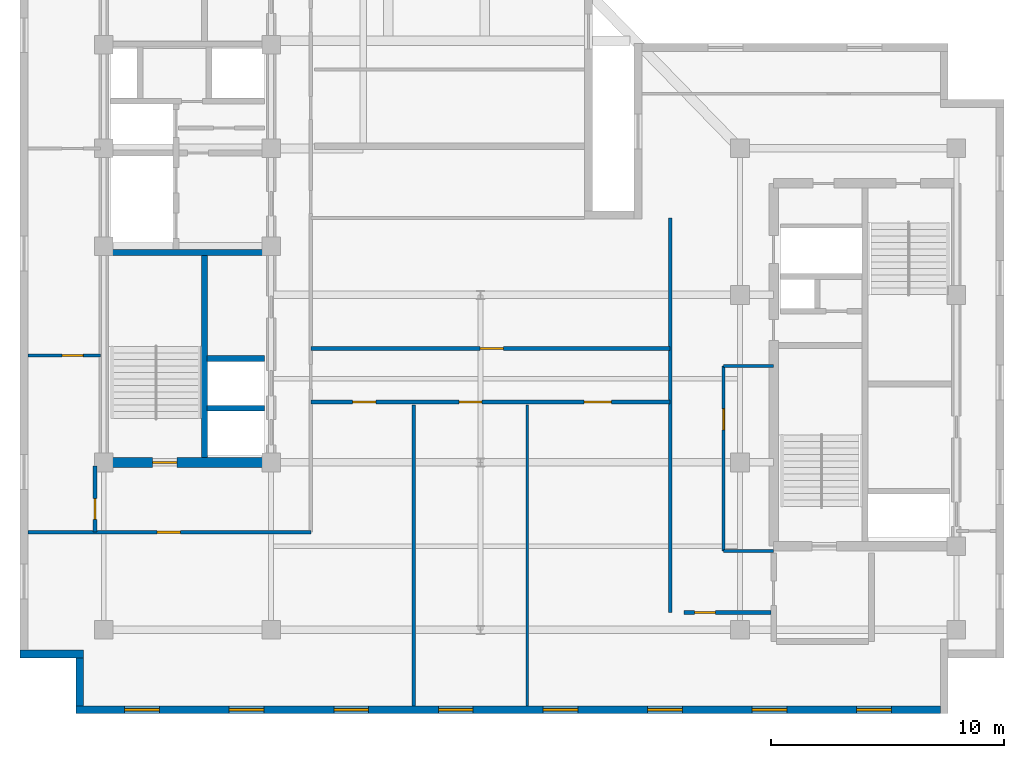
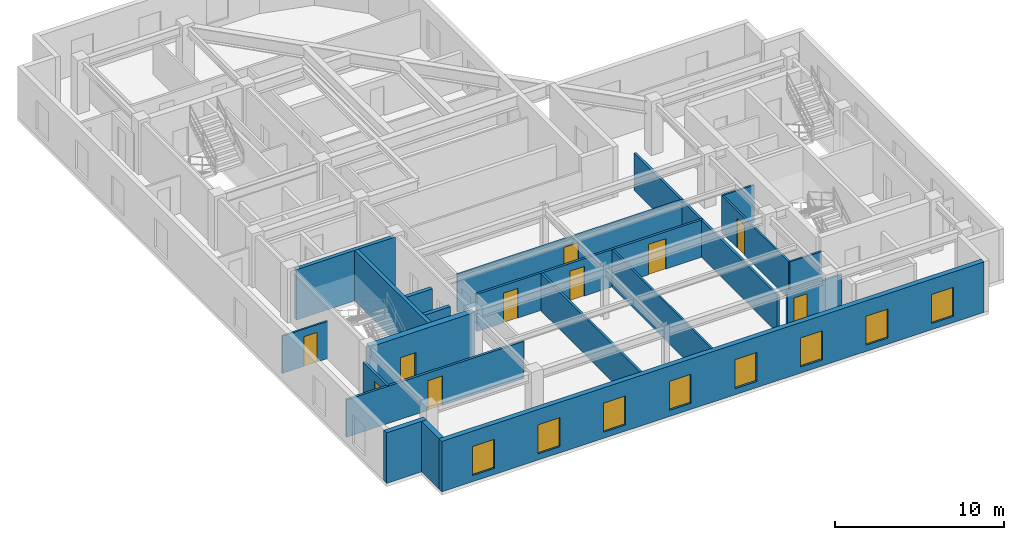
# One storey, part 3 of 10: 20 walls, 10 doors, 8 windows, 18 openings.
"""IFC4 building model written with IfcOpenShell, lengths in metres."""

from ifc_helpers import new_model, entity, si_unit, converted_unit, direction, frame, origin_with_axes, origin_2d_with_axis, place, context, subcontext, project, spatial, polyline, rectangle, outline, extrude, material, layer, layer_set, type_object, element, fill, save


model = new_model("IFC4")

# Units and contexts
model_context = context("Model", 3, precision=1e-05, world=origin_with_axes(), true_north=direction((0.0, 1.0)))
body_context = subcontext(model_context, "Body", "Model", "MODEL_VIEW")
ifc_project = project(units=[si_unit("LENGTHUNIT", "METRE"), si_unit("AREAUNIT", "SQUARE_METRE"), si_unit("VOLUMEUNIT", "CUBIC_METRE"), converted_unit("PLANEANGLEUNIT", "DEGREE", entity("IfcPlaneAngleMeasure", 0.017453292519943295), si_unit("PLANEANGLEUNIT", "RADIAN"), dimensions=[0, 0, 0, 0, 0, 0, 0]), si_unit("MASSUNIT", "GRAM", prefix="KILO"), si_unit("THERMODYNAMICTEMPERATUREUNIT", "KELVIN")], contexts=[model_context])

# Site, building, storey
site_placement = place(None, origin_with_axes())
site = spatial("IfcSite", under=ifc_project, at=site_placement, CompositionType="ELEMENT")
building_placement = place(site_placement, origin_with_axes())
building = spatial("IfcBuilding", under=site, at=building_placement, Name="Varnlund Millrace Tower", CompositionType="ELEMENT")
storey_placement = place(building_placement, frame((0.0, 0.0, 280.2), z_axis=(0.0, 0.0, 1.0), x_axis=(1.0, 0.0, 0.0)))
storey = spatial("IfcBuildingStorey", under=building, at=storey_placement, Name="L69", CompositionType="ELEMENT", Elevation=280.2)

# Wall, opening, door
ifc_material_1 = material(Name="Concrete C60/75", Category="concrete")
ifc_layer_1 = layer(ifc_material_1, 0.42, Name="Concrete C60/75")
ifc_layer_set_1 = layer_set([ifc_layer_1], Name="Concrete C60/75")
wall_type_1 = type_object("IfcWallType", Name="Type-CoreWall-Shear-420-C60", PredefinedType="SHEAR", material=ifc_layer_set_1)
wall_1_placement = place(storey_placement, frame((11.4, 10.8, 0.0), z_axis=(0.0, 0.0, 1.0), x_axis=(1.0, 0.0, 0.0)))
wall_1 = element("IfcWall", 1, at=wall_1_placement, inside=storey, type_object=wall_type_1, Name="Type-CoreWall-Shear-420-C60", PredefinedType="SHEAR", context=body_context, shape_type="SweptSolid", body=[
    extrude(outline(polyline([(0.0, -0.21), (7.2, -0.21), (7.2, 0.21), (0.0, 0.21), (0.0, -0.21)])), origin_with_axes(), (0.0, 0.0, 1.0), 3.66),
])
opening_1_placement = place(wall_1_placement, frame((2.625, 0.0, 0.0), z_axis=(0.0, 0.0, 1.0), x_axis=(1.0, 0.0, 0.0)))
opening_1 = element("IfcOpeningElement", 2, at=opening_1_placement, cuts=wall_1, Name="Opening L69:DR-STA1", PredefinedType="OPENING", context=body_context, shape_type="SweptSolid", body=[
    extrude(rectangle(XDim=1.05, YDim=0.44, at=origin_2d_with_axis()), origin_with_axes(), (0.0, 0.0, 1.0), 2.15),
])
ifc_material_2 = material(Name="Fire-rated hollow steel door", Category="steel")
door_type_1 = type_object("IfcDoorType", Name="Type-FireDoor-Stair-1050X2150", OperationType="NOTDEFINED", PredefinedType="DOOR", material=ifc_material_2)
door_1_placement = place(wall_1_placement, frame((2.625, 0.0, 0.0), z_axis=(0.0, 0.0, 1.0), x_axis=(1.0, 0.0, 0.0)))
door_1 = element("IfcDoor", 3, at=door_1_placement, inside=storey, type_object=door_type_1, Name="Type-FireDoor-Stair-1050X2150", OperationType="SINGLE_SWING_LEFT", OverallHeight=2.15, OverallWidth=1.05, PredefinedType="DOOR", context=body_context, shape_type="SweptSolid", body=[
    extrude(rectangle(XDim=1.05, YDim=0.09, at=origin_2d_with_axis()), origin_with_axes(), (0.0, 0.0, 1.0), 2.15),
])
fill(opening_1, door_1)

# Wall, openings, windows
ifc_material_3 = material(Name="Precast concrete C50/60", Category="concrete")
ifc_layer_2 = layer(ifc_material_3, 0.34, Name="Precast concrete C50/60")
ifc_layer_set_2 = layer_set([ifc_layer_2], Name="Precast concrete C50/60")
wall_type_2 = type_object("IfcWallType", Name="Type-ExtWall-Precast-Upper-340", PredefinedType="SOLIDWALL", material=ifc_layer_set_2)
wall_2_placement = place(storey_placement, frame((47.36, 0.17, 0.0), z_axis=(0.0, 0.0, 1.0), x_axis=(-1.0, 0.0, 0.0)))
wall_2 = element("IfcWall", 4, at=wall_2_placement, inside=storey, type_object=wall_type_2, Name="Type-ExtWall-Precast-Upper-340", PredefinedType="SOLIDWALL", context=body_context, shape_type="SweptSolid", body=[
    extrude(outline(polyline([(0.0, -0.17), (37.16, -0.17), (37.16, 0.17), (0.0, 0.17), (0.0, -0.17)])), origin_with_axes(), (0.0, 0.0, 1.0), 3.66),
])
opening_2_placement = place(wall_2_placement, frame((2.847, 0.0, 0.45), z_axis=(0.0, 0.0, 1.0), x_axis=(1.0, 0.0, 0.0)))
opening_2 = element("IfcOpeningElement", 5, at=opening_2_placement, cuts=wall_2, Name="Opening L69:WN-09", PredefinedType="OPENING", context=body_context, shape_type="SweptSolid", body=[
    extrude(rectangle(XDim=1.5, YDim=0.36, at=origin_2d_with_axis()), origin_with_axes(), (0.0, 0.0, 1.0), 2.1),
])
opening_3_placement = place(wall_2_placement, frame((7.342, 0.0, 0.45), z_axis=(0.0, 0.0, 1.0), x_axis=(1.0, 0.0, 0.0)))
opening_3 = element("IfcOpeningElement", 6, at=opening_3_placement, cuts=wall_2, Name="Opening L69:WN-10", PredefinedType="OPENING", context=body_context, shape_type="SweptSolid", body=[
    extrude(rectangle(XDim=1.5, YDim=0.36, at=origin_2d_with_axis()), origin_with_axes(), (0.0, 0.0, 1.0), 2.1),
])
opening_4_placement = place(wall_2_placement, frame((11.837, 0.0, 0.45), z_axis=(0.0, 0.0, 1.0), x_axis=(1.0, 0.0, 0.0)))
opening_4 = element("IfcOpeningElement", 7, at=opening_4_placement, cuts=wall_2, Name="Opening L69:WN-11", PredefinedType="OPENING", context=body_context, shape_type="SweptSolid", body=[
    extrude(rectangle(XDim=1.5, YDim=0.36, at=origin_2d_with_axis()), origin_with_axes(), (0.0, 0.0, 1.0), 2.1),
])
opening_5_placement = place(wall_2_placement, frame((16.332, 0.0, 0.45), z_axis=(0.0, 0.0, 1.0), x_axis=(1.0, 0.0, 0.0)))
opening_5 = element("IfcOpeningElement", 8, at=opening_5_placement, cuts=wall_2, Name="Opening L69:WN-12", PredefinedType="OPENING", context=body_context, shape_type="SweptSolid", body=[
    extrude(rectangle(XDim=1.5, YDim=0.36, at=origin_2d_with_axis()), origin_with_axes(), (0.0, 0.0, 1.0), 2.1),
])
opening_6_placement = place(wall_2_placement, frame((20.827, 0.0, 0.45), z_axis=(0.0, 0.0, 1.0), x_axis=(1.0, 0.0, 0.0)))
opening_6 = element("IfcOpeningElement", 9, at=opening_6_placement, cuts=wall_2, Name="Opening L69:WN-13", PredefinedType="OPENING", context=body_context, shape_type="SweptSolid", body=[
    extrude(rectangle(XDim=1.5, YDim=0.36, at=origin_2d_with_axis()), origin_with_axes(), (0.0, 0.0, 1.0), 2.1),
])
opening_7_placement = place(wall_2_placement, frame((25.322, 0.0, 0.45), z_axis=(0.0, 0.0, 1.0), x_axis=(1.0, 0.0, 0.0)))
opening_7 = element("IfcOpeningElement", 10, at=opening_7_placement, cuts=wall_2, Name="Opening L69:WN-14", PredefinedType="OPENING", context=body_context, shape_type="SweptSolid", body=[
    extrude(rectangle(XDim=1.5, YDim=0.36, at=origin_2d_with_axis()), origin_with_axes(), (0.0, 0.0, 1.0), 2.1),
])
opening_8_placement = place(wall_2_placement, frame((29.817, 0.0, 0.45), z_axis=(0.0, 0.0, 1.0), x_axis=(1.0, 0.0, 0.0)))
opening_8 = element("IfcOpeningElement", 11, at=opening_8_placement, cuts=wall_2, Name="Opening L69:WN-15", PredefinedType="OPENING", context=body_context, shape_type="SweptSolid", body=[
    extrude(rectangle(XDim=1.5, YDim=0.36, at=origin_2d_with_axis()), origin_with_axes(), (0.0, 0.0, 1.0), 2.1),
])
opening_9_placement = place(wall_2_placement, frame((34.312, 0.0, 0.45), z_axis=(0.0, 0.0, 1.0), x_axis=(1.0, 0.0, 0.0)))
opening_9 = element("IfcOpeningElement", 12, at=opening_9_placement, cuts=wall_2, Name="Opening L69:WN-16", PredefinedType="OPENING", context=body_context, shape_type="SweptSolid", body=[
    extrude(rectangle(XDim=1.5, YDim=0.36, at=origin_2d_with_axis()), origin_with_axes(), (0.0, 0.0, 1.0), 2.1),
])
ifc_material_4 = material(Name="Argon low-e triple glazing in thermally broken bronze frame", Category="glass")
window_type = type_object("IfcWindowType", Name="Type-Window-Punched-1500X2100", PartitioningType="SINGLE_PANEL", PredefinedType="WINDOW", material=ifc_material_4)
window_1_placement = place(wall_2_placement, frame((2.847, 0.0, 0.45), z_axis=(0.0, 0.0, 1.0), x_axis=(1.0, 0.0, 0.0)))
window_1 = element("IfcWindow", 13, at=window_1_placement, inside=storey, type_object=window_type, Name="Type-Window-Punched-1500X2100", OverallHeight=2.1, OverallWidth=1.5, PredefinedType="WINDOW", context=body_context, shape_type="SweptSolid", body=[
    extrude(rectangle(XDim=1.5, YDim=0.09, at=origin_2d_with_axis()), origin_with_axes(), (0.0, 0.0, 1.0), 2.1),
])
fill(opening_2, window_1)
window_2_placement = place(wall_2_placement, frame((7.342, 0.0, 0.45), z_axis=(0.0, 0.0, 1.0), x_axis=(1.0, 0.0, 0.0)))
window_2 = element("IfcWindow", 14, at=window_2_placement, inside=storey, type_object=window_type, Name="Type-Window-Punched-1500X2100", OverallHeight=2.1, OverallWidth=1.5, PredefinedType="WINDOW", context=body_context, shape_type="SweptSolid", body=[
    extrude(rectangle(XDim=1.5, YDim=0.09, at=origin_2d_with_axis()), origin_with_axes(), (0.0, 0.0, 1.0), 2.1),
])
fill(opening_3, window_2)
window_3_placement = place(wall_2_placement, frame((11.837, 0.0, 0.45), z_axis=(0.0, 0.0, 1.0), x_axis=(1.0, 0.0, 0.0)))
window_3 = element("IfcWindow", 15, at=window_3_placement, inside=storey, type_object=window_type, Name="Type-Window-Punched-1500X2100", OverallHeight=2.1, OverallWidth=1.5, PredefinedType="WINDOW", context=body_context, shape_type="SweptSolid", body=[
    extrude(rectangle(XDim=1.5, YDim=0.09, at=origin_2d_with_axis()), origin_with_axes(), (0.0, 0.0, 1.0), 2.1),
])
fill(opening_4, window_3)
window_4_placement = place(wall_2_placement, frame((16.332, 0.0, 0.45), z_axis=(0.0, 0.0, 1.0), x_axis=(1.0, 0.0, 0.0)))
window_4 = element("IfcWindow", 16, at=window_4_placement, inside=storey, type_object=window_type, Name="Type-Window-Punched-1500X2100", OverallHeight=2.1, OverallWidth=1.5, PredefinedType="WINDOW", context=body_context, shape_type="SweptSolid", body=[
    extrude(rectangle(XDim=1.5, YDim=0.09, at=origin_2d_with_axis()), origin_with_axes(), (0.0, 0.0, 1.0), 2.1),
])
fill(opening_5, window_4)
window_5_placement = place(wall_2_placement, frame((20.827, 0.0, 0.45), z_axis=(0.0, 0.0, 1.0), x_axis=(1.0, 0.0, 0.0)))
window_5 = element("IfcWindow", 17, at=window_5_placement, inside=storey, type_object=window_type, Name="Type-Window-Punched-1500X2100", OverallHeight=2.1, OverallWidth=1.5, PredefinedType="WINDOW", context=body_context, shape_type="SweptSolid", body=[
    extrude(rectangle(XDim=1.5, YDim=0.09, at=origin_2d_with_axis()), origin_with_axes(), (0.0, 0.0, 1.0), 2.1),
])
fill(opening_6, window_5)
window_6_placement = place(wall_2_placement, frame((25.322, 0.0, 0.45), z_axis=(0.0, 0.0, 1.0), x_axis=(1.0, 0.0, 0.0)))
window_6 = element("IfcWindow", 18, at=window_6_placement, inside=storey, type_object=window_type, Name="Type-Window-Punched-1500X2100", OverallHeight=2.1, OverallWidth=1.5, PredefinedType="WINDOW", context=body_context, shape_type="SweptSolid", body=[
    extrude(rectangle(XDim=1.5, YDim=0.09, at=origin_2d_with_axis()), origin_with_axes(), (0.0, 0.0, 1.0), 2.1),
])
fill(opening_7, window_6)
window_7_placement = place(wall_2_placement, frame((29.817, 0.0, 0.45), z_axis=(0.0, 0.0, 1.0), x_axis=(1.0, 0.0, 0.0)))
window_7 = element("IfcWindow", 19, at=window_7_placement, inside=storey, type_object=window_type, Name="Type-Window-Punched-1500X2100", OverallHeight=2.1, OverallWidth=1.5, PredefinedType="WINDOW", context=body_context, shape_type="SweptSolid", body=[
    extrude(rectangle(XDim=1.5, YDim=0.09, at=origin_2d_with_axis()), origin_with_axes(), (0.0, 0.0, 1.0), 2.1),
])
fill(opening_8, window_7)
window_8_placement = place(wall_2_placement, frame((34.312, 0.0, 0.45), z_axis=(0.0, 0.0, 1.0), x_axis=(1.0, 0.0, 0.0)))
window_8 = element("IfcWindow", 20, at=window_8_placement, inside=storey, type_object=window_type, Name="Type-Window-Punched-1500X2100", OverallHeight=2.1, OverallWidth=1.5, PredefinedType="WINDOW", context=body_context, shape_type="SweptSolid", body=[
    extrude(rectangle(XDim=1.5, YDim=0.09, at=origin_2d_with_axis()), origin_with_axes(), (0.0, 0.0, 1.0), 2.1),
])
fill(opening_9, window_8)

# Walls
wall_3_placement = place(storey_placement, frame((10.37, 0.34, 0.0), z_axis=(0.0, 0.0, 1.0), x_axis=(0.0, 1.0, 0.0)))
element("IfcWall", 21, at=wall_3_placement, inside=storey, type_object=wall_type_2, Name="Type-ExtWall-Precast-Upper-340", PredefinedType="SOLIDWALL", context=body_context, shape_type="SweptSolid", body=[
    extrude(outline(polyline([(0.0, -0.17), (2.06, -0.17), (2.06, 0.17), (0.0, 0.17), (0.0, -0.17)])), origin_with_axes(), (0.0, 0.0, 1.0), 3.66),
])
wall_4_placement = place(storey_placement, frame((10.54, 2.57, 0.0), z_axis=(0.0, 0.0, 1.0), x_axis=(-1.0, 0.0, 0.0)))
element("IfcWall", 22, at=wall_4_placement, inside=storey, type_object=wall_type_2, Name="Type-ExtWall-Precast-Upper-340", PredefinedType="SOLIDWALL", context=body_context, shape_type="SweptSolid", body=[
    extrude(outline(polyline([(0.0, -0.17), (2.74, -0.17), (2.74, 0.17), (0.0, 0.17), (0.0, -0.17)])), origin_with_axes(), (0.0, 0.0, 1.0), 3.66),
])

# Wall, opening, door
ifc_material_5 = material(Name="Fire-rated gypsum board on cold-formed steel framing", Category="steel")
ifc_layer_3 = layer(ifc_material_5, 0.16, Name="Fire-rated gypsum board on cold-formed steel framing")
ifc_layer_set_3 = layer_set([ifc_layer_3], Name="Fire-rated gypsum board on cold-formed steel framing")
wall_type_3 = type_object("IfcWallType", Name="Type-Partition-Corridor-160", PredefinedType="PARTITIONING", material=ifc_layer_set_3)
wall_5_placement = place(storey_placement, frame((8.135, 7.8, 0.0), z_axis=(0.0, 0.0, 1.0), x_axis=(1.0, 0.0, 0.0)))
wall_5 = element("IfcWall", 23, at=wall_5_placement, inside=storey, type_object=wall_type_3, Name="Type-Partition-Corridor-160", PredefinedType="PARTITIONING", context=body_context, shape_type="SweptSolid", body=[
    extrude(outline(polyline([(0.0, -0.08), (12.165, -0.08), (12.165, 0.08), (0.0, 0.08), (0.0, -0.08)])), origin_with_axes(), (0.0, 0.0, 1.0), 2.7),
])
opening_10_placement = place(wall_5_placement, frame((6.065, 0.0, 0.0), z_axis=(0.0, 0.0, 1.0), x_axis=(1.0, 0.0, 0.0)))
opening_10 = element("IfcOpeningElement", 24, at=opening_10_placement, cuts=wall_5, Name="Opening L69:DR-WAS-01", PredefinedType="OPENING", context=body_context, shape_type="SweptSolid", body=[
    extrude(rectangle(XDim=1.0, YDim=0.18, at=origin_2d_with_axis()), origin_with_axes(), (0.0, 0.0, 1.0), 2.15),
])
ifc_material_6 = material(Name="Solid-core white oak and bronze frame door")
door_type_2 = type_object("IfcDoorType", Name="Type-IntDoor-Office-1000X2150", OperationType="NOTDEFINED", PredefinedType="DOOR", material=ifc_material_6)
door_2_placement = place(wall_5_placement, frame((6.065, 0.0, 0.0), z_axis=(0.0, 0.0, 1.0), x_axis=(1.0, 0.0, 0.0)))
door_2 = element("IfcDoor", 25, at=door_2_placement, inside=storey, type_object=door_type_2, Name="Type-IntDoor-Office-1000X2150", OperationType="SINGLE_SWING_LEFT", OverallHeight=2.15, OverallWidth=1.0, PredefinedType="DOOR", context=body_context, shape_type="SweptSolid", body=[
    extrude(rectangle(XDim=1.0, YDim=0.09, at=origin_2d_with_axis()), origin_with_axes(), (0.0, 0.0, 1.0), 2.15),
])
fill(opening_10, door_2)

wall_6_placement = place(storey_placement, frame((11.02, 7.8, 0.0), z_axis=(0.0, 0.0, 1.0), x_axis=(0.0, 1.0, 0.0)))
wall_6 = element("IfcWall", 26, at=wall_6_placement, inside=storey, type_object=wall_type_3, Name="Type-Partition-Corridor-160", PredefinedType="PARTITIONING", context=body_context, shape_type="SweptSolid", body=[
    extrude(outline(polyline([(0.0, -0.08), (2.85, -0.08), (2.85, 0.08), (0.0, 0.08), (0.0, -0.08)])), origin_with_axes(), (0.0, 0.0, 1.0), 2.7),
])
opening_11_placement = place(wall_6_placement, frame((1.0, 0.0, 0.0), z_axis=(0.0, 0.0, 1.0), x_axis=(1.0, 0.0, 0.0)))
opening_11 = element("IfcOpeningElement", 27, at=opening_11_placement, cuts=wall_6, Name="Opening L69:DR-WU-S1", PredefinedType="OPENING", context=body_context, shape_type="SweptSolid", body=[
    extrude(rectangle(XDim=0.9, YDim=0.18, at=origin_2d_with_axis()), origin_with_axes(), (0.0, 0.0, 1.0), 2.15),
])
ifc_material_7 = material(Name="Painted steel riser and closet door", Category="steel")
door_type_3 = type_object("IfcDoorType", Name="Type-IntDoor-Closet-900X2150", OperationType="NOTDEFINED", PredefinedType="DOOR", material=ifc_material_7)
door_3_placement = place(wall_6_placement, frame((1.0, 0.0, 0.0), z_axis=(0.0, 0.0, 1.0), x_axis=(1.0, 0.0, 0.0)))
door_3 = element("IfcDoor", 28, at=door_3_placement, inside=storey, type_object=door_type_3, Name="Type-IntDoor-Closet-900X2150", OperationType="SINGLE_SWING_LEFT", OverallHeight=2.15, OverallWidth=0.9, PredefinedType="DOOR", context=body_context, shape_type="SweptSolid", body=[
    extrude(rectangle(XDim=0.9, YDim=0.09, at=origin_2d_with_axis()), origin_with_axes(), (0.0, 0.0, 1.0), 2.15),
])
fill(opening_11, door_3)

# Wall, openings, doors
wall_7_placement = place(storey_placement, frame((20.3, 13.4, 0.0), z_axis=(0.0, 0.0, 1.0), x_axis=(1.0, 0.0, 0.0)))
wall_7 = element("IfcWall", 29, at=wall_7_placement, inside=storey, type_object=wall_type_3, Name="Type-Partition-Corridor-160", PredefinedType="PARTITIONING", context=body_context, shape_type="SweptSolid", body=[
    extrude(outline(polyline([(0.0, -0.08), (15.45, -0.08), (15.45, 0.08), (0.0, 0.08), (0.0, -0.08)])), origin_with_axes(), (0.0, 0.0, 1.0), 2.7),
])
opening_12_placement = place(wall_7_placement, frame((2.304, 0.0, 0.0), z_axis=(0.0, 0.0, 1.0), x_axis=(1.0, 0.0, 0.0)))
opening_12 = element("IfcOpeningElement", 30, at=opening_12_placement, cuts=wall_7, Name="Opening L69:DR-KNS-01", PredefinedType="OPENING", context=body_context, shape_type="SweptSolid", body=[
    extrude(rectangle(XDim=1.0, YDim=0.18, at=origin_2d_with_axis()), origin_with_axes(), (0.0, 0.0, 1.0), 2.15),
])
opening_13_placement = place(wall_7_placement, frame((6.866, 0.0, 0.0), z_axis=(0.0, 0.0, 1.0), x_axis=(1.0, 0.0, 0.0)))
opening_13 = element("IfcOpeningElement", 31, at=opening_13_placement, cuts=wall_7, Name="Opening L69:DR-KNS-02", PredefinedType="OPENING", context=body_context, shape_type="SweptSolid", body=[
    extrude(rectangle(XDim=1.0, YDim=0.18, at=origin_2d_with_axis()), origin_with_axes(), (0.0, 0.0, 1.0), 2.15),
])
opening_14_placement = place(wall_7_placement, frame((12.337, 0.0, 0.0), z_axis=(0.0, 0.0, 1.0), x_axis=(1.0, 0.0, 0.0)))
opening_14 = element("IfcOpeningElement", 32, at=opening_14_placement, cuts=wall_7, Name="Opening L69:DR-KNS-03", PredefinedType="OPENING", context=body_context, shape_type="SweptSolid", body=[
    extrude(rectangle(XDim=1.2, YDim=0.18, at=origin_2d_with_axis()), origin_with_axes(), (0.0, 0.0, 1.0), 2.2),
])
ifc_material_8 = material(Name="Wide executive white oak acoustic door")
door_type_4 = type_object("IfcDoorType", Name="Type-IntDoor-Exec-1200X2200", OperationType="NOTDEFINED", PredefinedType="DOOR", material=ifc_material_8)
door_4_placement = place(wall_7_placement, frame((12.337, 0.0, 0.0), z_axis=(0.0, 0.0, 1.0), x_axis=(1.0, 0.0, 0.0)))
door_4 = element("IfcDoor", 33, at=door_4_placement, inside=storey, type_object=door_type_4, Name="Type-IntDoor-Exec-1200X2200", OperationType="SINGLE_SWING_LEFT", OverallHeight=2.2, OverallWidth=1.2, PredefinedType="DOOR", context=body_context, shape_type="SweptSolid", body=[
    extrude(rectangle(XDim=1.2, YDim=0.09, at=origin_2d_with_axis()), origin_with_axes(), (0.0, 0.0, 1.0), 2.2),
])
fill(opening_14, door_4)
door_5_placement = place(wall_7_placement, frame((2.304, 0.0, 0.0), z_axis=(0.0, 0.0, 1.0), x_axis=(1.0, 0.0, 0.0)))
door_5 = element("IfcDoor", 34, at=door_5_placement, inside=storey, type_object=door_type_2, Name="Type-IntDoor-Office-1000X2150", OperationType="SINGLE_SWING_LEFT", OverallHeight=2.15, OverallWidth=1.0, PredefinedType="DOOR", context=body_context, shape_type="SweptSolid", body=[
    extrude(rectangle(XDim=1.0, YDim=0.09, at=origin_2d_with_axis()), origin_with_axes(), (0.0, 0.0, 1.0), 2.15),
])
fill(opening_12, door_5)
door_6_placement = place(wall_7_placement, frame((6.866, 0.0, 0.0), z_axis=(0.0, 0.0, 1.0), x_axis=(1.0, 0.0, 0.0)))
door_6 = element("IfcDoor", 35, at=door_6_placement, inside=storey, type_object=door_type_2, Name="Type-IntDoor-Office-1000X2150", OperationType="SINGLE_SWING_RIGHT", OverallHeight=2.15, OverallWidth=1.0, PredefinedType="DOOR", context=body_context, shape_type="SweptSolid", body=[
    extrude(rectangle(XDim=1.0, YDim=0.09, at=origin_2d_with_axis()), origin_with_axes(), (0.0, 0.0, 1.0), 2.15),
])
fill(opening_13, door_6)

# Wall, opening, door
wall_8_placement = place(storey_placement, frame((20.3, 15.7, 0.0), z_axis=(0.0, 0.0, 1.0), x_axis=(1.0, 0.0, 0.0)))
wall_8 = element("IfcWall", 36, at=wall_8_placement, inside=storey, type_object=wall_type_3, Name="Type-Partition-Corridor-160", PredefinedType="PARTITIONING", context=body_context, shape_type="SweptSolid", body=[
    extrude(outline(polyline([(0.0, -0.08), (15.45, -0.08), (15.45, 0.08), (0.0, 0.08), (0.0, -0.08)])), origin_with_axes(), (0.0, 0.0, 1.0), 2.7),
])
opening_15_placement = place(wall_8_placement, frame((7.775, 0.0, 0.0), z_axis=(0.0, 0.0, 1.0), x_axis=(1.0, 0.0, 0.0)))
opening_15 = element("IfcOpeningElement", 37, at=opening_15_placement, cuts=wall_8, Name="Opening L69:DR-KN-01", PredefinedType="OPENING", context=body_context, shape_type="SweptSolid", body=[
    extrude(rectangle(XDim=1.0, YDim=0.18, at=origin_2d_with_axis()), origin_with_axes(), (0.0, 0.0, 1.0), 2.15),
])
door_7_placement = place(wall_8_placement, frame((7.775, 0.0, 0.0), z_axis=(0.0, 0.0, 1.0), x_axis=(1.0, 0.0, 0.0)))
door_7 = element("IfcDoor", 38, at=door_7_placement, inside=storey, type_object=door_type_2, Name="Type-IntDoor-Office-1000X2150", OperationType="SINGLE_SWING_LEFT", OverallHeight=2.15, OverallWidth=1.0, PredefinedType="DOOR", context=body_context, shape_type="SweptSolid", body=[
    extrude(rectangle(XDim=1.0, YDim=0.09, at=origin_2d_with_axis()), origin_with_axes(), (0.0, 0.0, 1.0), 2.15),
])
fill(opening_15, door_7)

# Wall
wall_9_placement = place(storey_placement, frame((35.75, 4.35, 0.0), z_axis=(0.0, 0.0, 1.0), x_axis=(0.0, 1.0, 0.0)))
element("IfcWall", 39, at=wall_9_placement, inside=storey, type_object=wall_type_3, Name="Type-Partition-Corridor-160", PredefinedType="PARTITIONING", context=body_context, shape_type="SweptSolid", body=[
    extrude(outline(polyline([(0.0, -0.08), (16.95, -0.08), (16.95, 0.08), (0.0, 0.08), (0.0, -0.08)])), origin_with_axes(), (0.0, 0.0, 1.0), 2.7),
])

# Wall, opening, door
wall_10_placement = place(storey_placement, frame((36.35, 4.35, 0.0), z_axis=(0.0, 0.0, 1.0), x_axis=(1.0, 0.0, 0.0)))
wall_10 = element("IfcWall", 40, at=wall_10_placement, inside=storey, type_object=wall_type_3, Name="Type-Partition-Corridor-160", PredefinedType="PARTITIONING", context=body_context, shape_type="SweptSolid", body=[
    extrude(outline(polyline([(0.0, -0.08), (3.725, -0.08), (3.725, 0.08), (0.0, 0.08), (0.0, -0.08)])), origin_with_axes(), (0.0, 0.0, 1.0), 2.7),
])
opening_16_placement = place(wall_10_placement, frame((0.9, 0.0, 0.0), z_axis=(0.0, 0.0, 1.0), x_axis=(1.0, 0.0, 0.0)))
opening_16 = element("IfcOpeningElement", 41, at=opening_16_placement, cuts=wall_10, Name="Opening L69:DR-Z4-KNS", PredefinedType="OPENING", context=body_context, shape_type="SweptSolid", body=[
    extrude(rectangle(XDim=0.9, YDim=0.18, at=origin_2d_with_axis()), origin_with_axes(), (0.0, 0.0, 1.0), 2.15),
])
door_8_placement = place(wall_10_placement, frame((0.9, 0.0, 0.0), z_axis=(0.0, 0.0, 1.0), x_axis=(1.0, 0.0, 0.0)))
door_8 = element("IfcDoor", 42, at=door_8_placement, inside=storey, type_object=door_type_3, Name="Type-IntDoor-Closet-900X2150", OperationType="SINGLE_SWING_LEFT", OverallHeight=2.15, OverallWidth=0.9, PredefinedType="DOOR", context=body_context, shape_type="SweptSolid", body=[
    extrude(rectangle(XDim=0.9, YDim=0.09, at=origin_2d_with_axis()), origin_with_axes(), (0.0, 0.0, 1.0), 2.15),
])
fill(opening_16, door_8)

# Wall
ifc_material_9 = material(Name="Acoustic STC-50 gypsum board partition", Category="gypsum")
ifc_layer_4 = layer(ifc_material_9, 0.15, Name="Acoustic STC-50 gypsum board partition")
ifc_layer_set_4 = layer_set([ifc_layer_4], Name="Acoustic STC-50 gypsum board partition")
wall_type_4 = type_object("IfcWallType", Name="Type-Partition-Demising-150", PredefinedType="PARTITIONING", material=ifc_layer_set_4)
wall_11_placement = place(storey_placement, frame((24.728, 0.335, 0.0), z_axis=(0.0, 0.0, 1.0), x_axis=(0.0, 1.0, 0.0)))
element("IfcWall", 43, at=wall_11_placement, inside=storey, type_object=wall_type_4, Name="Type-Partition-Demising-150", PredefinedType="PARTITIONING", context=body_context, shape_type="SweptSolid", body=[
    extrude(outline(polyline([(0.0, -0.075), (12.945, -0.075), (12.945, 0.075), (0.0, 0.075), (0.0, -0.075)])), origin_with_axes(), (0.0, 0.0, 1.0), 2.7),
])

# Wall, opening, door
ifc_material_10 = material(Name="Gypsum board tenant partition", Category="gypsum")
ifc_layer_5 = layer(ifc_material_10, 0.125, Name="Gypsum board tenant partition")
ifc_layer_set_5 = layer_set([ifc_layer_5], Name="Gypsum board tenant partition")
wall_type_5 = type_object("IfcWallType", Name="Type-Partition-Tenant-125", PredefinedType="PARTITIONING", material=ifc_layer_set_5)
wall_12_placement = place(storey_placement, frame((8.135, 15.4, 0.0), z_axis=(0.0, 0.0, 1.0), x_axis=(1.0, 0.0, 0.0)))
wall_12 = element("IfcWall", 44, at=wall_12_placement, inside=storey, type_object=wall_type_5, Name="Type-Partition-Tenant-125", PredefinedType="PARTITIONING", context=body_context, shape_type="SweptSolid", body=[
    extrude(outline(polyline([(0.0, -0.0625), (3.135, -0.0625), (3.135, 0.0625), (0.0, 0.0625), (0.0, -0.0625)])), origin_with_axes(), (0.0, 0.0, 1.0), 2.7),
])
opening_17_placement = place(wall_12_placement, frame((1.925, 0.0, 0.0), z_axis=(0.0, 0.0, 1.0), x_axis=(1.0, 0.0, 0.0)))
opening_17 = element("IfcOpeningElement", 45, at=opening_17_placement, cuts=wall_12, Name="Opening L69:DR-WUI-1", PredefinedType="OPENING", context=body_context, shape_type="SweptSolid", body=[
    extrude(rectangle(XDim=0.9, YDim=0.145, at=origin_2d_with_axis()), origin_with_axes(), (0.0, 0.0, 1.0), 2.15),
])
door_9_placement = place(wall_12_placement, frame((1.925, 0.0, 0.0), z_axis=(0.0, 0.0, 1.0), x_axis=(1.0, 0.0, 0.0)))
door_9 = element("IfcDoor", 46, at=door_9_placement, inside=storey, type_object=door_type_3, Name="Type-IntDoor-Closet-900X2150", OperationType="SINGLE_SWING_LEFT", OverallHeight=2.15, OverallWidth=0.9, PredefinedType="DOOR", context=body_context, shape_type="SweptSolid", body=[
    extrude(rectangle(XDim=0.9, YDim=0.075, at=origin_2d_with_axis()), origin_with_axes(), (0.0, 0.0, 1.0), 2.15),
])
fill(opening_17, door_9)

# Walls
wall_13_placement = place(storey_placement, frame((29.604, 0.335, 0.0), z_axis=(0.0, 0.0, 1.0), x_axis=(0.0, 1.0, 0.0)))
element("IfcWall", 47, at=wall_13_placement, inside=storey, type_object=wall_type_5, Name="Type-Partition-Tenant-125", PredefinedType="PARTITIONING", context=body_context, shape_type="SweptSolid", body=[
    extrude(outline(polyline([(0.0, -0.0625), (12.945, -0.0625), (12.945, 0.0625), (0.0, 0.0625), (0.0, -0.0625)])), origin_with_axes(), (0.0, 0.0, 1.0), 2.7),
])
for number, where, z_axis, x_axis, name in (
    (48, (38.05, 7.0, 0.0), (0.0, 0.0, 1.0), (1.0, 0.0, 0.0), "Type-Partition-Tenant-125"),
    (49, (38.05, 14.95, 0.0), (0.0, 0.0, 1.0), (1.0, 0.0, 0.0), "Type-Partition-Tenant-125"),
):
    element("IfcWall", number, at=place(storey_placement, frame(where, z_axis=z_axis, x_axis=x_axis)), inside=storey, type_object=wall_type_5, Name=name, PredefinedType="PARTITIONING", context=body_context, shape_type="SweptSolid", body=[
        extrude(outline(polyline([(0.0, -0.0625), (2.15, -0.0625), (2.15, 0.0625), (0.0, 0.0625), (0.0, -0.0625)])), origin_with_axes(), (0.0, 0.0, 1.0), 2.7),
    ])

# Wall, opening, door
wall_14_placement = place(storey_placement, frame((38.05, 7.0, 0.0), z_axis=(0.0, 0.0, 1.0), x_axis=(0.0, 1.0, 0.0)))
wall_14 = element("IfcWall", 50, at=wall_14_placement, inside=storey, type_object=wall_type_5, Name="Type-Partition-Tenant-125", PredefinedType="PARTITIONING", context=body_context, shape_type="SweptSolid", body=[
    extrude(outline(polyline([(0.0, -0.0625), (7.95, -0.0625), (7.95, 0.0625), (0.0, 0.0625), (0.0, -0.0625)])), origin_with_axes(), (0.0, 0.0, 1.0), 2.7),
])
opening_18_placement = place(wall_14_placement, frame((5.65, 0.0, 0.0), z_axis=(0.0, 0.0, 1.0), x_axis=(1.0, 0.0, 0.0)))
opening_18 = element("IfcOpeningElement", 51, at=opening_18_placement, cuts=wall_14, Name="Opening L69:DR-Z4-KMID", PredefinedType="OPENING", context=body_context, shape_type="SweptSolid", body=[
    extrude(rectangle(XDim=0.9, YDim=0.145, at=origin_2d_with_axis()), origin_with_axes(), (0.0, 0.0, 1.0), 2.15),
])
door_10_placement = place(wall_14_placement, frame((5.65, 0.0, 0.0), z_axis=(0.0, 0.0, 1.0), x_axis=(1.0, 0.0, 0.0)))
door_10 = element("IfcDoor", 52, at=door_10_placement, inside=storey, type_object=door_type_3, Name="Type-IntDoor-Closet-900X2150", OperationType="SINGLE_SWING_LEFT", OverallHeight=2.15, OverallWidth=0.9, PredefinedType="DOOR", context=body_context, shape_type="SweptSolid", body=[
    extrude(rectangle(XDim=0.9, YDim=0.075, at=origin_2d_with_axis()), origin_with_axes(), (0.0, 0.0, 1.0), 2.15),
])
fill(opening_18, door_10)

# Walls
ifc_layer_6 = layer(ifc_material_1, 0.25, Name="Concrete C60/75")
ifc_layer_set_6 = layer_set([ifc_layer_6], Name="Concrete C60/75")
wall_type_6 = type_object("IfcWallType", Name="Type-ShaftWall-Fire-250", PredefinedType="SOLIDWALL", material=ifc_layer_set_6)
for number, where, z_axis, x_axis, name in (
    (53, (15.84, 13.13, 0.0), (0.0, 0.0, 1.0), (1.0, 0.0, 0.0), "Type-ShaftWall-Fire-250"),
    (54, (15.84, 15.27, 0.0), (0.0, 0.0, 1.0), (1.0, 0.0, 0.0), "Type-ShaftWall-Fire-250"),
):
    element("IfcWall", number, at=place(storey_placement, frame(where, z_axis=z_axis, x_axis=x_axis)), inside=storey, type_object=wall_type_6, Name=name, PredefinedType="SOLIDWALL", context=body_context, shape_type="SweptSolid", body=[
        extrude(outline(polyline([(0.0, -0.125), (2.46, -0.125), (2.46, 0.125), (0.0, 0.125), (0.0, -0.125)])), origin_with_axes(), (0.0, 0.0, 1.0), 2.7),
    ])
wall_type_7 = type_object("IfcWallType", Name="Type-StairWall-Shear-250", PredefinedType="SHEAR", material=ifc_layer_set_6)
wall_15_placement = place(storey_placement, frame((15.725, 11.01, 0.0), z_axis=(0.0, 0.0, 1.0), x_axis=(0.0, 1.0, 0.0)))
element("IfcWall", 55, at=wall_15_placement, inside=storey, type_object=wall_type_7, Name="Type-StairWall-Shear-250", PredefinedType="SHEAR", context=body_context, shape_type="SweptSolid", body=[
    extrude(outline(polyline([(0.0, -0.125), (8.69, -0.125), (8.69, 0.125), (0.0, 0.125), (0.0, -0.125)])), origin_with_axes(), (0.0, 0.0, 1.0), 3.66),
])
wall_16_placement = place(storey_placement, frame((11.61, 19.825, 0.0), z_axis=(0.0, 0.0, 1.0), x_axis=(1.0, 0.0, 0.0)))
element("IfcWall", 56, at=wall_16_placement, inside=storey, type_object=wall_type_7, Name="Type-StairWall-Shear-250", PredefinedType="SHEAR", context=body_context, shape_type="SweptSolid", body=[
    extrude(outline(polyline([(0.0, -0.125), (6.78, -0.125), (6.78, 0.125), (0.0, 0.125), (0.0, -0.125)])), origin_with_axes(), (0.0, 0.0, 1.0), 3.66),
])

save(model, "model.ifc")
